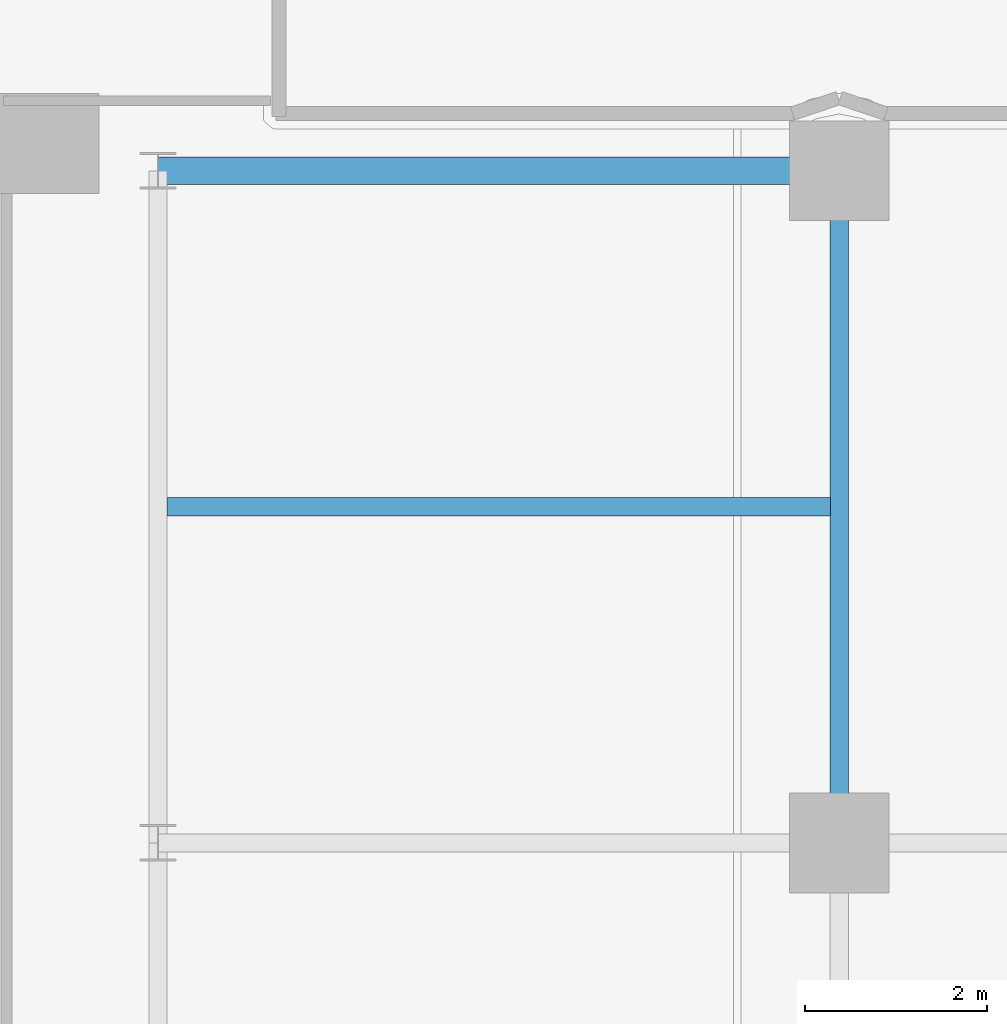
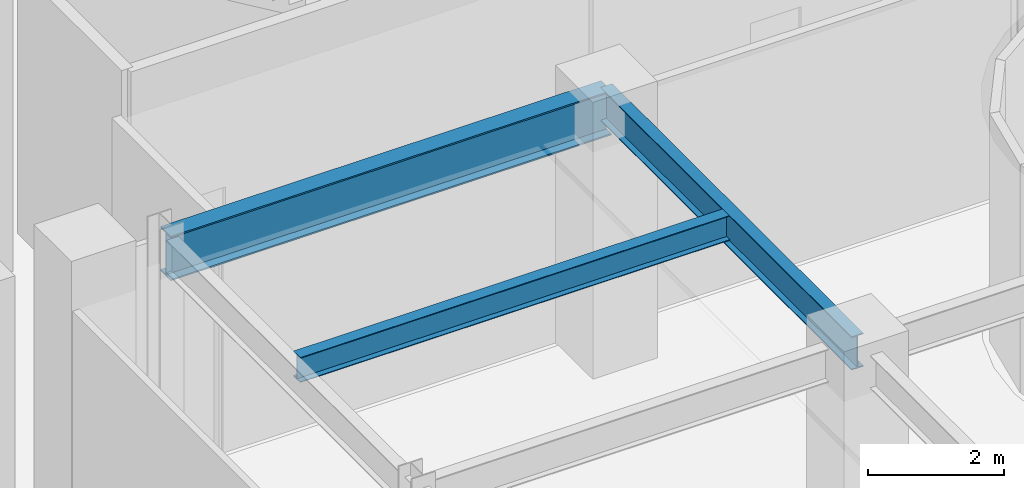
# One storey, part 16 of 42: 3 beams.
"""IFC4 building model written with IfcOpenShell, lengths in metres."""

from ifc_helpers import new_model, si_unit, direction, frame, origin, origin_2d, place, context, subcontext, project, spatial, i_section, extrude, material, material_profile, profile_set, type_object, element, save


model = new_model("IFC4")

# Units and contexts
model_context = context("Model", 3, precision=1e-05, world=origin(), true_north=direction((0.0, 1.0)))
body_context = subcontext(model_context, "Body", "Model", "MODEL_VIEW")
ifc_project = project(units=[si_unit("LENGTHUNIT", "METRE"), si_unit("AREAUNIT", "SQUARE_METRE"), si_unit("VOLUMEUNIT", "CUBIC_METRE"), si_unit("PLANEANGLEUNIT", "RADIAN"), si_unit("MASSUNIT", "GRAM", prefix="KILO")], contexts=[model_context])

# Site, building, storey
site_placement = place(None, origin())
site = spatial("IfcSite", under=ifc_project, at=site_placement, CompositionType="ELEMENT")
building_placement = place(site_placement, origin())
building = spatial("IfcBuilding", under=site, at=building_placement, Name="Qianvela Tower", CompositionType="ELEMENT")
storey_placement = place(building_placement, frame((0.0, 0.0, 6.0)))
storey = spatial("IfcBuildingStorey", under=building, at=storey_placement, Name="L01", CompositionType="ELEMENT", Elevation=6.0)

# Beams
ifc_material_1 = material(Name="Steel Q355B", Category="steel")
ifc_material_profile_1 = material_profile(ifc_material_1, i_section(OverallWidth=0.199951171875, OverallDepth=0.449951171875, WebThickness=0.009033203125, FlangeThickness=0.013916015625, at=origin_2d()), Name="HN450x200x9x14")
ifc_profile_set_1 = profile_set([ifc_material_profile_1], Name="Steel Q355B")
beam_type_1 = type_object("IfcBeamType", Name="BM-HN450-JOIST", PredefinedType="JOIST", material=ifc_profile_set_1)
beam_1_placement = place(storey_placement, frame((7.595947265625, 33.5, 4.552978515625), z_axis=(1.0, 0.0, 0.0), x_axis=(0.0, 1.0, 0.0)))
element("IfcBeam", 1, at=beam_1_placement, inside=storey, type_object=beam_type_1, Name="L01 Secondary Floor Joist 44", PredefinedType="JOIST", context=body_context, shape_type="SweptSolid", body=[
    extrude(i_section(OverallWidth=0.199951171875, OverallDepth=0.449951171875, WebThickness=0.009033203125, FlangeThickness=0.013916015625, at=origin_2d()), origin(), (0.0, 0.0, 1.0), 7.30810546875),
])
ifc_material_2 = material(Name="Steel Q355B", Category="steel")
ifc_material_profile_2 = material_profile(ifc_material_2, i_section(OverallWidth=0.199951171875, OverallDepth=0.60009765625, WebThickness=0.010986328125, FlangeThickness=0.01708984375, at=origin_2d()), Name="HN600x200x11x17")
ifc_profile_set_2 = profile_set([ifc_material_profile_2], Name="Steel Q355B")
beam_type_2 = type_object("IfcBeamType", Name="BM-HN600-GIRD", PredefinedType="BEAM", material=ifc_profile_set_2)
beam_2_placement = place(storey_placement, frame((15.0, 29.800048828125, 4.47802734375), z_axis=(0.0, 1.0, 0.0), x_axis=(-1.0, 0.0, 0.0)))
element("IfcBeam", 2, at=beam_2_placement, inside=storey, type_object=beam_type_2, Name="L01 North-South Grid Girder 22", PredefinedType="BEAM", context=body_context, shape_type="SweptSolid", body=[
    extrude(i_section(OverallWidth=0.199951171875, OverallDepth=0.60009765625, WebThickness=0.010986328125, FlangeThickness=0.01708984375, at=origin_2d()), origin(), (0.0, 0.0, 1.0), 7.39990234375),
])
ifc_material_3 = material(Name="Steel Q355B", Category="steel")
ifc_material_profile_3 = material_profile(ifc_material_3, i_section(OverallWidth=0.300048828125, OverallDepth=0.800048828125, WebThickness=0.013916015625, FlangeThickness=0.02587890625, at=origin_2d()), Name="HN800x300x14x26")
ifc_profile_set_3 = profile_set([ifc_material_profile_3], Name="Steel Q355B")
beam_type_3 = type_object("IfcBeamType", Name="BM-HN800-SPAND", PredefinedType="SPANDREL", material=ifc_profile_set_3)
beam_3_placement = place(storey_placement, frame((7.5, 37.199951171875, 4.3779296875), z_axis=(1.0, 0.0, 0.0), x_axis=(0.0, 1.0, 0.0)))
element("IfcBeam", 3, at=beam_3_placement, inside=storey, type_object=beam_type_3, Name="L01 East-West Grid Girder 14", PredefinedType="SPANDREL", context=body_context, shape_type="SweptSolid", body=[
    extrude(i_section(OverallWidth=0.300048828125, OverallDepth=0.800048828125, WebThickness=0.013916015625, FlangeThickness=0.02587890625, at=origin_2d()), origin(), (0.0, 0.0, 1.0), 7.5),
])

save(model, "model.ifc")
